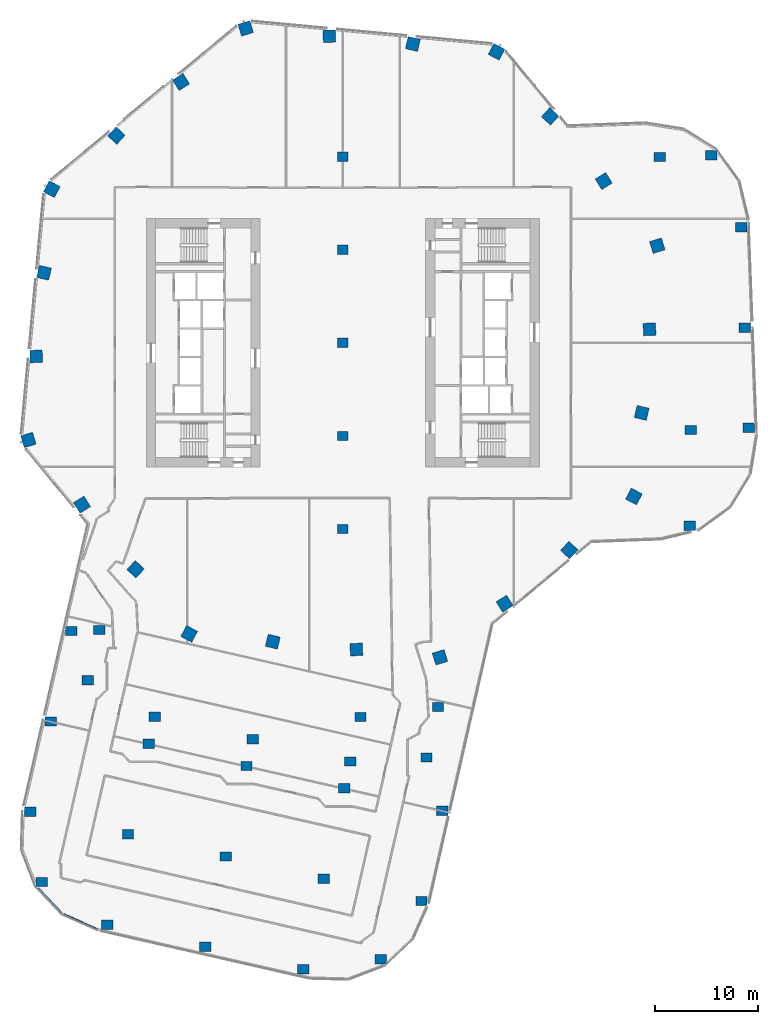
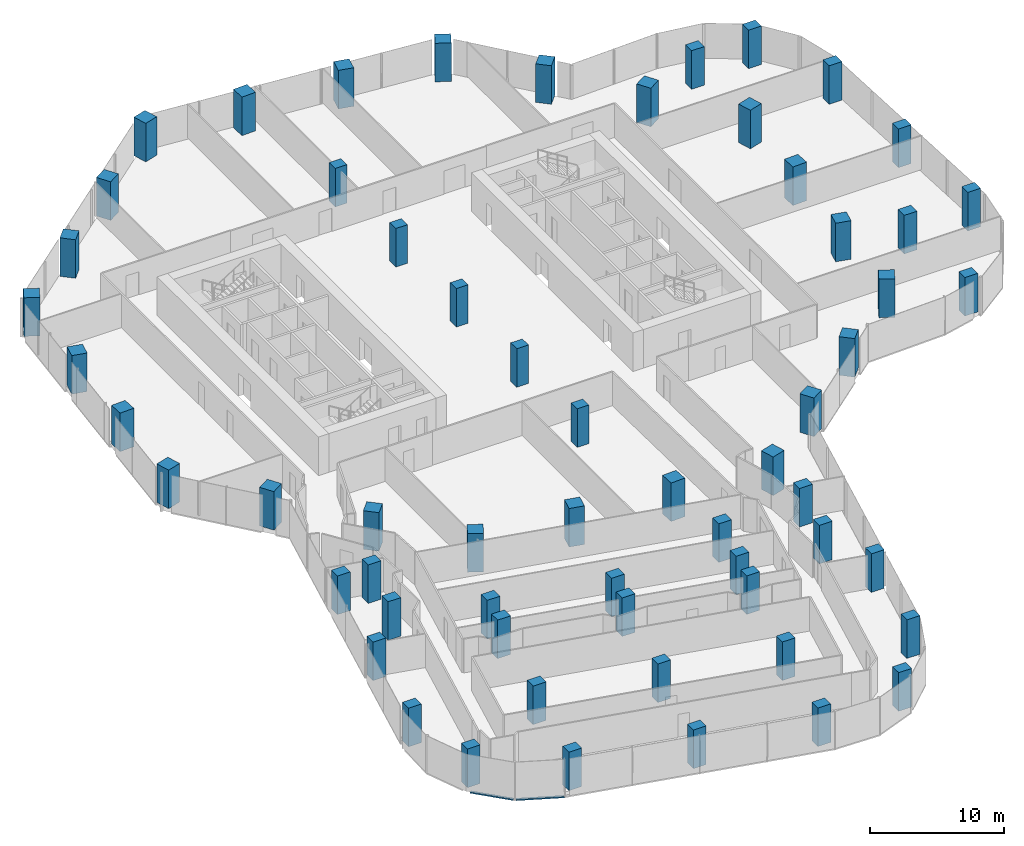
# One storey, part 1 of 24: 60 columns, 2 members, 2 elements without a shape of their own.
"""IFC4 building model written with IfcOpenShell, lengths in metres."""

from ifc_helpers import new_model, si_unit, direction, frame, origin, origin_2d, place, context, subcontext, project, spatial, rectangle, extrude, material, material_profile, profile_set, type_object, element, aggregate, save


model = new_model("IFC4")

# Units and contexts
model_context = context("Model", 3, precision=1e-05, world=origin(), true_north=direction((0.0, 1.0)))
body_context = subcontext(model_context, "Body", "Model", "MODEL_VIEW")
ifc_project = project(units=[si_unit("LENGTHUNIT", "METRE"), si_unit("AREAUNIT", "SQUARE_METRE"), si_unit("VOLUMEUNIT", "CUBIC_METRE"), si_unit("PLANEANGLEUNIT", "RADIAN"), si_unit("MASSUNIT", "GRAM", prefix="KILO")], contexts=[model_context])

# Site, building, storey
site_placement = place(None, origin())
site = spatial("IfcSite", under=ifc_project, at=site_placement, CompositionType="ELEMENT")
building_placement = place(site_placement, origin())
building = spatial("IfcBuilding", under=site, at=building_placement, Name="Orlundy Tower", CompositionType="ELEMENT")
storey_placement = place(building_placement, frame((0.0, 0.0, 170.60009765625)))
storey = spatial("IfcBuildingStorey", under=building, at=storey_placement, Name="L44", CompositionType="ELEMENT", Elevation=170.60009765625)

# Columns
ifc_material_1 = material(Name="Concrete C70/85", Category="concrete")
ifc_material_profile_1 = material_profile(ifc_material_1, rectangle(XDim=1.0, YDim=0.89990234375, at=origin_2d()), Name="RC1000X900")
ifc_profile_set_1 = profile_set([ifc_material_profile_1], Name="Concrete C70/85")
column_type_1 = type_object("IfcColumnType", Name="RC COLUMN RC1000X900 C70/85", PredefinedType="COLUMN", material=ifc_profile_set_1)
for number, where, z_axis, x_axis, name in (
    (1, (0.0, -18.0, 0.0), (0.0, 0.0, 1.0), (1.0, 0.0, 0.0), "Column C-M1 L44"),
    (2, (0.0, -9.0, 0.0), (0.0, 0.0, 1.0), (1.0, 0.0, 0.0), "Column C-M2 L44"),
    (3, (0.0, 0.0, 0.0), (0.0, 0.0, 1.0), (1.0, 0.0, 0.0), "Column C-M3 L44"),
    (4, (0.0, 9.0, 0.0), (0.0, 0.0, 1.0), (1.0, 0.0, 0.0), "Column C-M4 L44"),
    (5, (0.0, 18.0, 0.0), (0.0, 0.0, 1.0), (1.0, 0.0, 0.0), "Column C-M5 L44"),
):
    element("IfcColumn", number, at=place(storey_placement, frame(where, z_axis=z_axis, x_axis=x_axis)), inside=storey, type_object=column_type_1, Name=name, PredefinedType="COLUMN", context=body_context, shape_type="SweptSolid", body=[
        extrude(rectangle(XDim=1.0, YDim=0.89990234375, at=origin_2d()), origin(), (0.0, 0.0, 1.0), 3.5),
    ])
ifc_material_2 = material(Name="Concrete C70/85", Category="concrete")
ifc_material_profile_2 = material_profile(ifc_material_2, rectangle(XDim=1.10009765625, YDim=0.89990234375, at=origin_2d()), Name="RC1100X900")
ifc_profile_set_2 = profile_set([ifc_material_profile_2], Name="Concrete C70/85")
column_type_2 = type_object("IfcColumnType", Name="RC COLUMN RC1100X900 C70/85", PredefinedType="COLUMN", material=ifc_profile_set_2)
for number, where, z_axis, x_axis, name in (
    (6, (33.534912109375, -17.678955078125, 0.0), (0.0, 0.0, 1.0), (1.0, 0.0, 0.0), "Column C-A1-1 L44"),
    (7, (39.239013671875, -8.221923828125, 0.0), (0.0, 0.0, 1.0), (1.0, 0.0, 0.0), "Column C-A2-5 L44"),
    (8, (33.64306640625, -8.43408203125, 0.0), (0.0, 0.0, 1.0), (1.0, 0.0, 0.0), "Column C-A2-6 L44"),
    (9, (38.8720703125, 1.470947265625, 0.0), (0.0, 0.0, 1.0), (1.0, 0.0, 0.0), "Column C-A3-5 L44"),
    (10, (38.5048828125, 11.1640625, 0.0), (0.0, 0.0, 1.0), (1.0, 0.0, 0.0), "Column C-A4-5 L44"),
    (11, (35.632080078125, 18.153076171875, 0.0), (0.0, 0.0, 1.0), (1.0, 0.0, 0.0), "Column C-A5-5 L44"),
    (12, (30.635986328125, 17.964111328125, 0.0), (0.0, 0.0, 1.0), (1.0, 0.0, 0.0), "Column C-A5-6 L44"),
    (13, (-26.2451171875, -27.866943359375, 0.0), (0.0, 0.0, 1.0), (1.0, 0.0, 0.0), "Column C-B1-1 L44"),
    (14, (-28.237060546875, -36.60888671875, 0.0), (0.0, 0.0, 1.0), (1.0, 0.0, 0.0), "Column C-B1-2 L44"),
    (15, (-30.22802734375, -45.35205078125, 0.0), (0.0, 0.0, 1.0), (1.0, 0.0, 0.0), "Column C-B1-3 L44"),
    (16, (-29.09912109375, -52.132080078125, 0.0), (0.0, 0.0, 1.0), (1.0, 0.0, 0.0), "Column C-B1-5 L44"),
    (17, (-24.656982421875, -32.632080078125, 0.0), (0.0, 0.0, 1.0), (1.0, 0.0, 0.0), "Column C-B1-6 L44"),
    (18, (-23.547119140625, -27.757080078125, 0.0), (0.0, 0.0, 1.0), (1.0, 0.0, 0.0), "Column C-B1-7 L44"),
    (19, (-18.779052734375, -38.763916015625, 0.0), (0.0, 0.0, 1.0), (1.0, 0.0, 0.0), "Column C-B2-2 L44"),
    (20, (-20.77099609375, -47.507080078125, 0.0), (0.0, 0.0, 1.0), (1.0, 0.0, 0.0), "Column C-B2-3 L44"),
    (21, (-22.761962890625, -56.2490234375, 0.0), (0.0, 0.0, 1.0), (1.0, 0.0, 0.0), "Column C-B2-5 L44"),
    (22, (-18.18701171875, -36.1640625, 0.0), (0.0, 0.0, 1.0), (1.0, 0.0, 0.0), "Column C-B2-6 L44"),
    (23, (-9.321044921875, -40.91796875, 0.0), (0.0, 0.0, 1.0), (1.0, 0.0, 0.0), "Column C-B3-2 L44"),
    (24, (-11.31298828125, -49.660888671875, 0.0), (0.0, 0.0, 1.0), (1.0, 0.0, 0.0), "Column C-B3-3 L44"),
    (25, (-13.304931640625, -58.404052734375, 0.0), (0.0, 0.0, 1.0), (1.0, 0.0, 0.0), "Column C-B3-5 L44"),
    (26, (-8.72900390625, -38.318115234375, 0.0), (0.0, 0.0, 1.0), (1.0, 0.0, 0.0), "Column C-B3-6 L44"),
    (27, (0.135986328125, -43.072998046875, 0.0), (0.0, 0.0, 1.0), (1.0, 0.0, 0.0), "Column C-B4-2 L44"),
    (28, (-1.85498046875, -51.81591796875, 0.0), (0.0, 0.0, 1.0), (1.0, 0.0, 0.0), "Column C-B4-3 L44"),
    (29, (-3.846923828125, -60.55810546875, 0.0), (0.0, 0.0, 1.0), (1.0, 0.0, 0.0), "Column C-B4-5 L44"),
    (30, (0.72900390625, -40.472900390625, 0.0), (0.0, 0.0, 1.0), (1.0, 0.0, 0.0), "Column C-B4-6 L44"),
    (31, (1.7060546875, -36.18310546875, 0.0), (0.0, 0.0, 1.0), (1.0, 0.0, 0.0), "Column C-B4-7 L44"),
    (32, (9.593994140625, -45.22705078125, 0.0), (0.0, 0.0, 1.0), (1.0, 0.0, 0.0), "Column C-B5-2 L44"),
    (33, (7.60205078125, -53.969970703125, 0.0), (0.0, 0.0, 1.0), (1.0, 0.0, 0.0), "Column C-B5-3 L44"),
    (34, (3.64794921875, -59.592041015625, 0.0), (0.0, 0.0, 1.0), (1.0, 0.0, 0.0), "Column C-B5-5 L44"),
    (35, (8.090087890625, -40.092041015625, 0.0), (0.0, 0.0, 1.0), (1.0, 0.0, 0.0), "Column C-B5-6 L44"),
    (36, (9.200927734375, -35.217041015625, 0.0), (0.0, 0.0, 1.0), (1.0, 0.0, 0.0), "Column C-B5-7 L44"),
):
    element("IfcColumn", number, at=place(storey_placement, frame(where, z_axis=z_axis, x_axis=x_axis)), inside=storey, type_object=column_type_2, Name=name, PredefinedType="COLUMN", context=body_context, shape_type="SweptSolid", body=[
        extrude(rectangle(XDim=1.10009765625, YDim=0.89990234375, at=origin_2d()), origin(), (0.0, 0.0, 1.0), 3.5),
    ])
ifc_material_3 = material(Name="Concrete C70/85", Category="concrete")
ifc_material_profile_3 = material_profile(ifc_material_3, rectangle(XDim=1.199951171875, YDim=1.199951171875, at=origin_2d()), Name="RC1200X1200")
ifc_profile_set_3 = profile_set([ifc_material_profile_3], Name="Concrete C70/85")
column_type_3 = type_object("IfcColumnType", Name="RC COLUMN RC1200X1200 C70/85", PredefinedType="COLUMN", material=ifc_profile_set_3)
for number, where, z_axis, x_axis, name in (
    (37, (14.85791015625, 28.14111328125, 0.0), (0.0, 0.0, 1.0), (0.466896045022, 0.884312209088, 0.0), "Column C-H01 L44"),
    (38, (20.0400390625, 21.89111328125, 0.0), (0.0, 0.0, 1.0), (0.675229825281, 0.737607404417, 0.0), "Column C-H02 L44"),
    (39, (25.221923828125, 15.64208984375, 0.0), (0.0, 0.0, 1.0), (0.849837505645, 0.527044793162, 0.0), "Column C-H03 L44"),
    (40, (30.405029296875, 9.39208984375, 0.0), (0.0, 0.0, 1.0), (0.955453670607, 0.295141124421, 0.0), "Column C-H04 L44"),
    (41, (29.64990234375, 1.30908203125, 0.0), (0.0, 0.0, 1.0), (0.999026785832, 0.044107609201, 0.0), "Column C-H05 L44"),
    (42, (28.89501953125, -6.77392578125, 0.0), (0.0, 0.0, 1.0), (0.973602810382, -0.228248915914, 0.0), "Column C-H06 L44"),
    (43, (28.14111328125, -14.85791015625, 0.0), (0.0, 0.0, 1.0), (0.884312209088, -0.466896045022, 0.0), "Column C-H07 L44"),
    (44, (21.89111328125, -20.0400390625, 0.0), (0.0, 0.0, 1.0), (0.737607404417, -0.675229825281, 0.0), "Column C-H08 L44"),
    (45, (15.64208984375, -25.221923828125, 0.0), (0.0, 0.0, 1.0), (0.527044793162, -0.849837505645, 0.0), "Column C-H09 L44"),
    (46, (9.39208984375, -30.405029296875, 0.0), (0.0, 0.0, 1.0), (0.295141124421, -0.955453670607, 0.0), "Column C-H10 L44"),
    (47, (1.30908203125, -29.64990234375, 0.0), (0.0, 0.0, 1.0), (0.044107609201, -0.999026785832, 0.0), "Column C-H11 L44"),
    (48, (-6.77392578125, -28.89501953125, 0.0), (0.0, 0.0, 1.0), (-0.228248915914, -0.973602810382, 0.0), "Column C-H12 L44"),
    (49, (-14.85791015625, -28.14111328125, 0.0), (0.0, 0.0, 1.0), (-0.466896045022, -0.884312209088, 0.0), "Column C-H13 L44"),
    (50, (-20.0400390625, -21.89111328125, 0.0), (0.0, 0.0, 1.0), (-0.675229825281, -0.737607404417, 0.0), "Column C-H14 L44"),
    (51, (-25.221923828125, -15.64208984375, 0.0), (0.0, 0.0, 1.0), (-0.849837505645, -0.527044793162, 0.0), "Column C-H15 L44"),
    (52, (-30.405029296875, -9.39208984375, 0.0), (0.0, 0.0, 1.0), (-0.955453670607, -0.295141124421, 0.0), "Column C-H16 L44"),
    (53, (-29.64990234375, -1.30908203125, 0.0), (0.0, 0.0, 1.0), (-0.999026785832, -0.044107609201, 0.0), "Column C-H17 L44"),
    (54, (-28.89501953125, 6.77392578125, 0.0), (0.0, 0.0, 1.0), (-0.973602810382, 0.228248915914, 0.0), "Column C-H18 L44"),
    (55, (-28.14111328125, 14.85791015625, 0.0), (0.0, 0.0, 1.0), (-0.884312209088, 0.466896045022, 0.0), "Column C-H19 L44"),
    (56, (-21.89111328125, 20.0400390625, 0.0), (0.0, 0.0, 1.0), (-0.737607404417, 0.675229825281, 0.0), "Column C-H20 L44"),
    (57, (-15.64208984375, 25.221923828125, 0.0), (0.0, 0.0, 1.0), (-0.527044793162, 0.849837505645, 0.0), "Column C-H21 L44"),
    (58, (-9.39208984375, 30.405029296875, 0.0), (0.0, 0.0, 1.0), (-0.295141124421, 0.955453670607, 0.0), "Column C-H22 L44"),
    (59, (-1.30908203125, 29.64990234375, 0.0), (0.0, 0.0, 1.0), (-0.044107609201, 0.999026785832, 0.0), "Column C-H23 L44"),
    (60, (6.77392578125, 28.89501953125, 0.0), (0.0, 0.0, 1.0), (0.228248915914, 0.973602810382, 0.0), "Column C-H24 L44"),
):
    element("IfcColumn", number, at=place(storey_placement, frame(where, z_axis=z_axis, x_axis=x_axis)), inside=storey, type_object=column_type_3, Name=name, PredefinedType="COLUMN", context=body_context, shape_type="SweptSolid", body=[
        extrude(rectangle(XDim=1.199951171875, YDim=1.199951171875, at=origin_2d()), origin(), (0.0, 0.0, 1.0), 3.5),
    ])

# Curtain wall, member
ifc_material_4 = material(Name="Aluminium bronze anodised", Category="aluminium")
curtain_wall_type = type_object("IfcCurtainWallType", Name="CW1 wall", PredefinedType="NOTDEFINED", material=ifc_material_4)
curtain_wall_1_placement = place(storey_placement, origin())
curtain_wall_1 = element("IfcCurtainWall", 61, at=curtain_wall_1_placement, inside=storey, type_object=curtain_wall_type, Name="CW1 run 024", PredefinedType="NOTDEFINED")
ifc_material_5 = material(Name="Aluminium bronze anodised", Category="aluminium")
ifc_material_profile_4 = material_profile(ifc_material_5, rectangle(XDim=0.179931640625, YDim=0.1201171875, at=origin_2d()), Name="CW1 transom 180x120")
ifc_profile_set_4 = profile_set([ifc_material_profile_4], Name="Aluminium bronze anodised")
member_type = type_object("IfcMemberType", Name="CW1 transom 180x120", PredefinedType="USERDEFINED", material=ifc_profile_set_4)
member_1_placement = place(storey_placement, frame((-23.7275390625, -56.732421875, -0.360107421875), z_axis=(-0.912914391831, 0.408151091127, 0.0), x_axis=(-0.408151091127, -0.912914391831, 0.0)))
member_1 = element("IfcMember", 62, at=member_1_placement, type_object=member_type, Name="CW1 transom", ObjectType="TRANSOM", PredefinedType="USERDEFINED", context=body_context, shape_type="SweptSolid", body=[
    extrude(rectangle(XDim=0.179931640625, YDim=0.1201171875, at=origin_2d()), origin(), (0.0, 0.0, 1.0), 3.611083984375),
])
aggregate(curtain_wall_1, [member_1])

curtain_wall_2_placement = place(storey_placement, origin())
curtain_wall_2 = element("IfcCurtainWall", 63, at=curtain_wall_2_placement, inside=storey, type_object=curtain_wall_type, Name="CW1 run 025", PredefinedType="NOTDEFINED")
member_2_placement = place(storey_placement, frame((-27.1748046875, -55.153564453125, -0.360107421875), z_axis=(-0.687128806217, 0.726535617617, 0.0), x_axis=(-0.726535617617, -0.687128806217, 0.0)))
member_2 = element("IfcMember", 64, at=member_2_placement, type_object=member_type, Name="CW1 transom", ObjectType="TRANSOM", PredefinedType="USERDEFINED", context=body_context, shape_type="SweptSolid", body=[
    extrude(rectangle(XDim=0.179931640625, YDim=0.1201171875, at=origin_2d()), origin(), (0.0, 0.0, 1.0), 3.3330078125),
])
aggregate(curtain_wall_2, [member_2])

save(model, "model.ifc")
